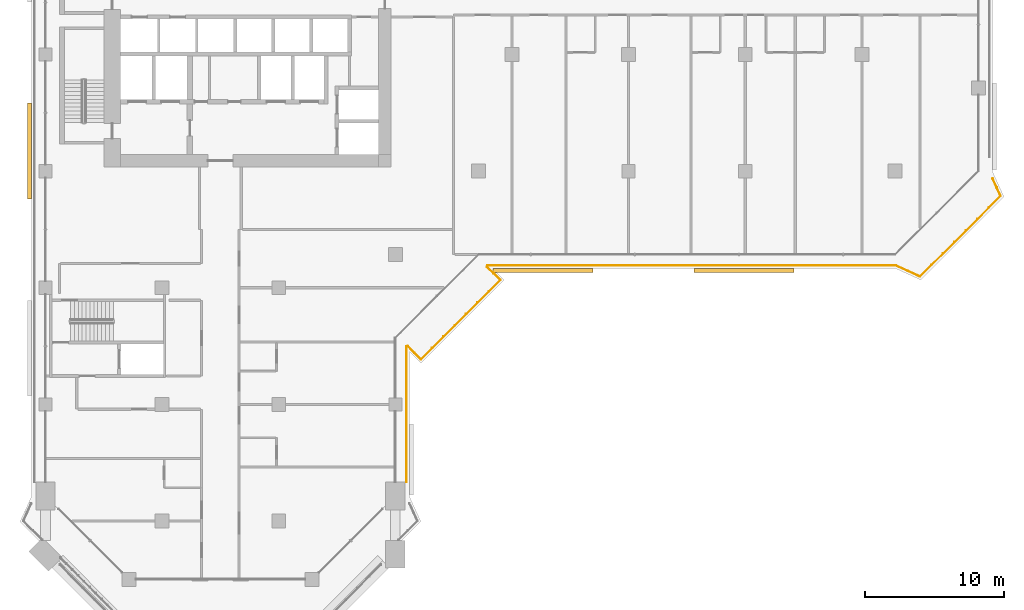
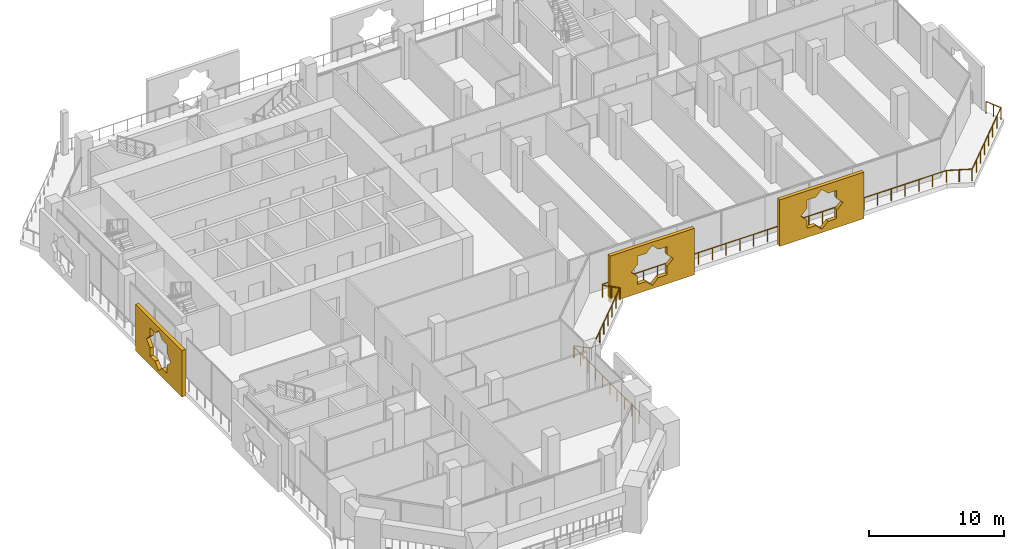
# One storey, part 18 of 22: 3 coverings, 1 railing.
"""IFC4 building model written with IfcOpenShell, lengths in metres."""

from ifc_helpers import new_model, si_unit, direction, frame, origin, origin_2d, place, context, subcontext, project, spatial, polyline, circle, outline, extrude, material, material_profile, profile_set, type_object, element, save


model = new_model("IFC4")

# Units and contexts
model_context = context("Model", 3, precision=1e-05, world=origin(), true_north=direction((0.0, 1.0)))
body_context = subcontext(model_context, "Body", "Model", "MODEL_VIEW")
ifc_project = project(units=[si_unit("LENGTHUNIT", "METRE"), si_unit("AREAUNIT", "SQUARE_METRE"), si_unit("VOLUMEUNIT", "CUBIC_METRE"), si_unit("PLANEANGLEUNIT", "RADIAN"), si_unit("MASSUNIT", "GRAM", prefix="KILO")], contexts=[model_context])

# Site, building, storey
site_placement = place(None, origin())
site = spatial("IfcSite", under=ifc_project, at=site_placement, CompositionType="ELEMENT")
building_placement = place(site_placement, origin())
building = spatial("IfcBuilding", under=site, at=building_placement, Name="Kawkab Arch Medical Tower", CompositionType="ELEMENT")
storey_placement = place(building_placement, frame((0.0, 0.0, 171.0)))
storey = spatial("IfcBuildingStorey", under=building, at=storey_placement, Name="L39", CompositionType="ELEMENT", Elevation=171.0)

# Railing
ifc_material_1 = material(Name="Bronze anodised aluminium guard", Category="aluminium")
railing_type = type_object("IfcRailingType", Name="Loggia and terrace guard 1100", PredefinedType="GUARDRAIL", material=ifc_material_1)
railing_placement = place(storey_placement, frame((68.22998046875, -25.748046875, 0.0)))
element("IfcRailing", 1, at=railing_placement, inside=storey, type_object=railing_type, Name="Guard L39.LOG-01.1.3", PredefinedType="GUARDRAIL", context=body_context, shape_type="SweptSolid", body=[
    extrude(circle(Radius=0.02392578125, at=origin_2d()), frame((0.0, 0.0, 1.076171875), z_axis=(0.414567890698, -0.910018386629, 0.0), x_axis=(0.910018386629, 0.414567890698, 0.0)), (0.0, 0.0, 1.0), 1.370361328125),
    extrude(circle(Radius=0.02392578125, at=origin_2d()), frame((0.568115234375, -1.2470703125, 1.076171875), z_axis=(-0.707106781187, -0.707106781187, 0.0), x_axis=(0.707106781187, -0.707106781187, 0.0)), (0.0, 0.0, 1.0), 8.20654296875),
    extrude(circle(Radius=0.02392578125, at=origin_2d()), frame((-5.23486328125, -7.050048828125, 1.076171875), z_axis=(-0.910044860056, 0.414509773934, 0.0), x_axis=(-0.414509773934, -0.910044860056, 0.0)), (0.0, 0.0, 1.0), 1.92529296875),
    extrude(circle(Radius=0.02392578125, at=origin_2d()), frame((-6.987060546875, -6.251953125, 1.076171875), z_axis=(-1.0, 0.0, 0.0), x_axis=(0.0, -1.0, 0.0)), (0.0, 0.0, 1.0), 29.392822265625),
    extrude(circle(Radius=0.02392578125, at=origin_2d()), frame((-36.3798828125, -6.251953125, 1.076171875), z_axis=(-0.383763674343, -0.923431341387, 0.0), x_axis=(0.923431341387, -0.383763674343, 0.0)), (0.0, 0.0, 1.0), 0.101806640625),
    extrude(circle(Radius=0.02392578125, at=origin_2d()), frame((-36.4189453125, -6.345947265625, 1.076171875), z_axis=(0.707015335112, -0.707198215437, 0.0), x_axis=(0.707198215437, 0.707015335112, 0.0)), (0.0, 0.0, 1.0), 1.3349609375),
    extrude(circle(Radius=0.02392578125, at=origin_2d()), frame((-35.47509765625, -7.2900390625, 1.076171875), z_axis=(-0.707106781187, -0.707106781187, 0.0), x_axis=(0.707106781187, -0.707106781187, 0.0)), (0.0, 0.0, 1.0), 8.084716796875),
    extrude(circle(Radius=0.02392578125, at=origin_2d()), frame((-41.19189453125, -13.0068359375, 1.076171875), z_axis=(-0.707198215437, 0.707015335112, 0.0), x_axis=(-0.707015335112, -0.707198215437, 0.0)), (0.0, 0.0, 1.0), 1.3349609375),
    extrude(circle(Radius=0.02392578125, at=origin_2d()), frame((-42.135986328125, -12.06298828125, 1.076171875), z_axis=(-0.923431341387, -0.383763674343, 0.0), x_axis=(0.383763674343, -0.923431341387, 0.0)), (0.0, 0.0, 1.0), 0.101806640625),
    extrude(circle(Radius=0.02392578125, at=origin_2d()), frame((-42.22998046875, -12.10205078125, 1.076171875), z_axis=(0.0, -1.0, 0.0), x_axis=(1.0, 0.0, 0.0)), (0.0, 0.0, 1.0), 9.719970703125),
    extrude(circle(Radius=0.02099609375, at=origin_2d()), origin(), (0.0, 0.0, 1.0), 1.052001953125),
    extrude(circle(Radius=0.02099609375, at=origin_2d()), frame((0.2841796875, -0.62353515625, 0.0)), (0.0, 0.0, 1.0), 1.052001953125),
    extrude(circle(Radius=0.02099609375, at=origin_2d()), frame((0.568115234375, -1.2470703125, 0.0)), (0.0, 0.0, 1.0), 1.052001953125),
    extrude(circle(Radius=0.02099609375, at=origin_2d()), frame((-0.260986328125, -2.076171875, 0.0)), (0.0, 0.0, 1.0), 1.052001953125),
    extrude(circle(Radius=0.02099609375, at=origin_2d()), frame((-1.08984375, -2.905029296875, 0.0)), (0.0, 0.0, 1.0), 1.052001953125),
    extrude(circle(Radius=0.02099609375, at=origin_2d()), frame((-1.9189453125, -3.734130859375, 0.0)), (0.0, 0.0, 1.0), 1.052001953125),
    extrude(circle(Radius=0.02099609375, at=origin_2d()), frame((-2.747802734375, -4.56298828125, 0.0)), (0.0, 0.0, 1.0), 1.052001953125),
    extrude(circle(Radius=0.02099609375, at=origin_2d()), frame((-3.576904296875, -5.39208984375, 0.0)), (0.0, 0.0, 1.0), 1.052001953125),
    extrude(circle(Radius=0.02099609375, at=origin_2d()), frame((-4.40576171875, -6.220947265625, 0.0)), (0.0, 0.0, 1.0), 1.052001953125),
    extrude(circle(Radius=0.02099609375, at=origin_2d()), frame((-5.23486328125, -7.050048828125, 0.0)), (0.0, 0.0, 1.0), 1.052001953125),
    extrude(circle(Radius=0.02099609375, at=origin_2d()), frame((-6.11083984375, -6.65087890625, 0.0)), (0.0, 0.0, 1.0), 1.052001953125),
    extrude(circle(Radius=0.02099609375, at=origin_2d()), frame((-6.987060546875, -6.251953125, 0.0)), (0.0, 0.0, 1.0), 1.052001953125),
    extrude(circle(Radius=0.02099609375, at=origin_2d()), frame((-8.162841796875, -6.251953125, 0.0)), (0.0, 0.0, 1.0), 1.052001953125),
    extrude(circle(Radius=0.02099609375, at=origin_2d()), frame((-9.33837890625, -6.251953125, 0.0)), (0.0, 0.0, 1.0), 1.052001953125),
    extrude(circle(Radius=0.02099609375, at=origin_2d()), frame((-10.51416015625, -6.251953125, 0.0)), (0.0, 0.0, 1.0), 1.052001953125),
    extrude(circle(Radius=0.02099609375, at=origin_2d()), frame((-11.68994140625, -6.251953125, 0.0)), (0.0, 0.0, 1.0), 1.052001953125),
    extrude(circle(Radius=0.02099609375, at=origin_2d()), frame((-12.86572265625, -6.251953125, 0.0)), (0.0, 0.0, 1.0), 1.052001953125),
    extrude(circle(Radius=0.02099609375, at=origin_2d()), frame((-14.041259765625, -6.251953125, 0.0)), (0.0, 0.0, 1.0), 1.052001953125),
    extrude(circle(Radius=0.02099609375, at=origin_2d()), frame((-15.217041015625, -6.251953125, 0.0)), (0.0, 0.0, 1.0), 1.052001953125),
    extrude(circle(Radius=0.02099609375, at=origin_2d()), frame((-16.392822265625, -6.251953125, 0.0)), (0.0, 0.0, 1.0), 1.052001953125),
    extrude(circle(Radius=0.02099609375, at=origin_2d()), frame((-17.568359375, -6.251953125, 0.0)), (0.0, 0.0, 1.0), 1.052001953125),
    extrude(circle(Radius=0.02099609375, at=origin_2d()), frame((-18.744140625, -6.251953125, 0.0)), (0.0, 0.0, 1.0), 1.052001953125),
    extrude(circle(Radius=0.02099609375, at=origin_2d()), frame((-19.919921875, -6.251953125, 0.0)), (0.0, 0.0, 1.0), 1.052001953125),
    extrude(circle(Radius=0.02099609375, at=origin_2d()), frame((-21.095703125, -6.251953125, 0.0)), (0.0, 0.0, 1.0), 1.052001953125),
    extrude(circle(Radius=0.02099609375, at=origin_2d()), frame((-22.271240234375, -6.251953125, 0.0)), (0.0, 0.0, 1.0), 1.052001953125),
    extrude(circle(Radius=0.02099609375, at=origin_2d()), frame((-23.447021484375, -6.251953125, 0.0)), (0.0, 0.0, 1.0), 1.052001953125),
    extrude(circle(Radius=0.02099609375, at=origin_2d()), frame((-24.622802734375, -6.251953125, 0.0)), (0.0, 0.0, 1.0), 1.052001953125),
    extrude(circle(Radius=0.02099609375, at=origin_2d()), frame((-25.798583984375, -6.251953125, 0.0)), (0.0, 0.0, 1.0), 1.052001953125),
    extrude(circle(Radius=0.02099609375, at=origin_2d()), frame((-26.97412109375, -6.251953125, 0.0)), (0.0, 0.0, 1.0), 1.052001953125),
    extrude(circle(Radius=0.02099609375, at=origin_2d()), frame((-28.14990234375, -6.251953125, 0.0)), (0.0, 0.0, 1.0), 1.052001953125),
    extrude(circle(Radius=0.02099609375, at=origin_2d()), frame((-29.32568359375, -6.251953125, 0.0)), (0.0, 0.0, 1.0), 1.052001953125),
    extrude(circle(Radius=0.02099609375, at=origin_2d()), frame((-30.501220703125, -6.251953125, 0.0)), (0.0, 0.0, 1.0), 1.052001953125),
    extrude(circle(Radius=0.02099609375, at=origin_2d()), frame((-31.677001953125, -6.251953125, 0.0)), (0.0, 0.0, 1.0), 1.052001953125),
    extrude(circle(Radius=0.02099609375, at=origin_2d()), frame((-32.852783203125, -6.251953125, 0.0)), (0.0, 0.0, 1.0), 1.052001953125),
    extrude(circle(Radius=0.02099609375, at=origin_2d()), frame((-34.028564453125, -6.251953125, 0.0)), (0.0, 0.0, 1.0), 1.052001953125),
    extrude(circle(Radius=0.02099609375, at=origin_2d()), frame((-35.2041015625, -6.251953125, 0.0)), (0.0, 0.0, 1.0), 1.052001953125),
    extrude(circle(Radius=0.02099609375, at=origin_2d()), frame((-36.3798828125, -6.251953125, 0.0)), (0.0, 0.0, 1.0), 1.052001953125),
    extrude(circle(Radius=0.02099609375, at=origin_2d()), frame((-36.4189453125, -6.345947265625, 0.0)), (0.0, 0.0, 1.0), 1.052001953125),
    extrude(circle(Radius=0.02099609375, at=origin_2d()), frame((-35.947021484375, -6.81787109375, 0.0)), (0.0, 0.0, 1.0), 1.052001953125),
    extrude(circle(Radius=0.02099609375, at=origin_2d()), frame((-35.47509765625, -7.2900390625, 0.0)), (0.0, 0.0, 1.0), 1.052001953125),
    extrude(circle(Radius=0.02099609375, at=origin_2d()), frame((-36.291748046875, -8.106689453125, 0.0)), (0.0, 0.0, 1.0), 1.052001953125),
    extrude(circle(Radius=0.02099609375, at=origin_2d()), frame((-37.1083984375, -8.92333984375, 0.0)), (0.0, 0.0, 1.0), 1.052001953125),
    extrude(circle(Radius=0.02099609375, at=origin_2d()), frame((-37.925048828125, -9.739990234375, 0.0)), (0.0, 0.0, 1.0), 1.052001953125),
    extrude(circle(Radius=0.02099609375, at=origin_2d()), frame((-38.741943359375, -10.556884765625, 0.0)), (0.0, 0.0, 1.0), 1.052001953125),
    extrude(circle(Radius=0.02099609375, at=origin_2d()), frame((-39.55859375, -11.37353515625, 0.0)), (0.0, 0.0, 1.0), 1.052001953125),
    extrude(circle(Radius=0.02099609375, at=origin_2d()), frame((-40.375244140625, -12.190185546875, 0.0)), (0.0, 0.0, 1.0), 1.052001953125),
    extrude(circle(Radius=0.02099609375, at=origin_2d()), frame((-41.19189453125, -13.0068359375, 0.0)), (0.0, 0.0, 1.0), 1.052001953125),
    extrude(circle(Radius=0.02099609375, at=origin_2d()), frame((-41.6640625, -12.534912109375, 0.0)), (0.0, 0.0, 1.0), 1.052001953125),
    extrude(circle(Radius=0.02099609375, at=origin_2d()), frame((-42.135986328125, -12.06298828125, 0.0)), (0.0, 0.0, 1.0), 1.052001953125),
    extrude(circle(Radius=0.02099609375, at=origin_2d()), frame((-42.22998046875, -12.10205078125, 0.0)), (0.0, 0.0, 1.0), 1.052001953125),
    extrude(circle(Radius=0.02099609375, at=origin_2d()), frame((-42.22998046875, -13.18212890625, 0.0)), (0.0, 0.0, 1.0), 1.052001953125),
    extrude(circle(Radius=0.02099609375, at=origin_2d()), frame((-42.22998046875, -14.261962890625, 0.0)), (0.0, 0.0, 1.0), 1.052001953125),
    extrude(circle(Radius=0.02099609375, at=origin_2d()), frame((-42.22998046875, -15.342041015625, 0.0)), (0.0, 0.0, 1.0), 1.052001953125),
    extrude(circle(Radius=0.02099609375, at=origin_2d()), frame((-42.22998046875, -16.422119140625, 0.0)), (0.0, 0.0, 1.0), 1.052001953125),
    extrude(circle(Radius=0.02099609375, at=origin_2d()), frame((-42.22998046875, -17.501953125, 0.0)), (0.0, 0.0, 1.0), 1.052001953125),
    extrude(circle(Radius=0.02099609375, at=origin_2d()), frame((-42.22998046875, -18.58203125, 0.0)), (0.0, 0.0, 1.0), 1.052001953125),
    extrude(circle(Radius=0.02099609375, at=origin_2d()), frame((-42.22998046875, -19.662109375, 0.0)), (0.0, 0.0, 1.0), 1.052001953125),
    extrude(circle(Radius=0.02099609375, at=origin_2d()), frame((-42.22998046875, -20.741943359375, 0.0)), (0.0, 0.0, 1.0), 1.052001953125),
    extrude(circle(Radius=0.02099609375, at=origin_2d()), frame((-42.22998046875, -21.822021484375, 0.0)), (0.0, 0.0, 1.0), 1.052001953125),
])

# Coverings
ifc_material_2 = material(Name="Bronze anodised aluminium mashrabiya panel, eight-point star pattern", Category="aluminium")
ifc_material_profile_1 = material_profile(ifc_material_2, outline(polyline([(-3.449951171875, -2.10009765625), (3.449951171875, -2.10009765625), (3.449951171875, 2.10009765625), (-3.449951171875, 2.10009765625), (-3.449951171875, -2.10009765625)]), holes=[polyline([(1.800048828125, 0.0), (1.272705078125, 0.527099609375), (1.272705078125, 1.272705078125), (0.527099609375, 1.272705078125), (0.0, 1.800048828125), (-0.527099609375, 1.272705078125), (-1.272705078125, 1.272705078125), (-1.272705078125, 0.527099609375), (-1.800048828125, 0.0), (-1.272705078125, -0.527099609375), (-1.272705078125, -1.272705078125), (-0.527099609375, -1.272705078125), (0.0, -1.800048828125), (0.527099609375, -1.272705078125), (1.272705078125, -1.272705078125), (1.272705078125, -0.527099609375), (1.800048828125, 0.0)])]), Name="Mashrabiya panel 6900x4200")
ifc_profile_set_1 = profile_set([ifc_material_profile_1], Name="Bronze anodised aluminium mashrabiya panel, eight-point star pattern")
covering_type_1 = type_object("IfcCoveringType", Name="Mashrabiya panel 6900 x 4200", PredefinedType="USERDEFINED", material=ifc_profile_set_1)
covering_placement = place(storey_placement, frame((-1.0, -23.74951171875, 1.699951171875), z_axis=(-1.0, 0.0, 0.0), x_axis=(0.0, -1.0, 0.0)))
element("IfcCovering", 2, at=covering_placement, inside=storey, type_object=covering_type_1, Name="Mashrabiya panel L39.LOG-01-01.2", ObjectType="SCREEN", PredefinedType="USERDEFINED", context=body_context, shape_type="SweptSolid", body=[
    extrude(outline(polyline([(-3.449951171875, -2.10009765625), (3.449951171875, -2.10009765625), (3.449951171875, 2.10009765625), (-3.449951171875, 2.10009765625), (-3.449951171875, -2.10009765625)]), holes=[polyline([(1.800048828125, 0.0), (1.272705078125, 0.527099609375), (1.272705078125, 1.272705078125), (0.527099609375, 1.272705078125), (0.0, 1.800048828125), (-0.527099609375, 1.272705078125), (-1.272705078125, 1.272705078125), (-1.272705078125, 0.527099609375), (-1.800048828125, 0.0), (-1.272705078125, -0.527099609375), (-1.272705078125, -1.272705078125), (-0.527099609375, -1.272705078125), (0.0, -1.800048828125), (0.527099609375, -1.272705078125), (1.272705078125, -1.272705078125), (1.272705078125, -0.527099609375), (1.800048828125, 0.0)])]), origin(), (0.0, 0.0, 1.0), 0.300048828125),
])
ifc_material_3 = material(Name="Bronze anodised aluminium mashrabiya panel, eight-point star pattern", Category="aluminium")
ifc_material_profile_2 = material_profile(ifc_material_3, outline(polyline([(-3.60009765625, -2.10009765625), (3.60009765625, -2.10009765625), (3.60009765625, 2.10009765625), (-3.60009765625, 2.10009765625), (-3.60009765625, -2.10009765625)]), holes=[polyline([(1.800048828125, 0.0), (1.272705078125, 0.527099609375), (1.272705078125, 1.272705078125), (0.527099609375, 1.272705078125), (0.0, 1.800048828125), (-0.527099609375, 1.272705078125), (-1.272705078125, 1.272705078125), (-1.272705078125, 0.527099609375), (-1.800048828125, 0.0), (-1.272705078125, -0.527099609375), (-1.272705078125, -1.272705078125), (-0.527099609375, -1.272705078125), (0.0, -1.800048828125), (0.527099609375, -1.272705078125), (1.272705078125, -1.272705078125), (1.272705078125, -0.527099609375), (1.800048828125, 0.0)])]), Name="Mashrabiya panel 7200x4200")
ifc_profile_set_2 = profile_set([ifc_material_profile_2], Name="Bronze anodised aluminium mashrabiya panel, eight-point star pattern")
covering_type_2 = type_object("IfcCoveringType", Name="Mashrabiya panel 7200 x 4200", PredefinedType="USERDEFINED", material=ifc_profile_set_2)
for number, where, z_axis, x_axis, name in (
    (3, (50.31982421875, -32.199951171875, 1.699951171875), (0.0, -1.0, 0.0), (1.0, 0.0, 0.0), "Mashrabiya panel L39.LOG-01-01.9"),
    (4, (35.830078125, -32.199951171875, 1.699951171875), (0.0, -1.0, 0.0), (1.0, 0.0, 0.0), "Mashrabiya panel L39.LOG-01-01.10"),
):
    element("IfcCovering", number, at=place(storey_placement, frame(where, z_axis=z_axis, x_axis=x_axis)), inside=storey, type_object=covering_type_2, Name=name, ObjectType="SCREEN", PredefinedType="USERDEFINED", context=body_context, shape_type="SweptSolid", body=[
        extrude(outline(polyline([(-3.60009765625, -2.10009765625), (3.60009765625, -2.10009765625), (3.60009765625, 2.10009765625), (-3.60009765625, 2.10009765625), (-3.60009765625, -2.10009765625)]), holes=[polyline([(1.800048828125, 0.0), (1.272705078125, 0.527099609375), (1.272705078125, 1.272705078125), (0.527099609375, 1.272705078125), (0.0, 1.800048828125), (-0.527099609375, 1.272705078125), (-1.272705078125, 1.272705078125), (-1.272705078125, 0.527099609375), (-1.800048828125, 0.0), (-1.272705078125, -0.527099609375), (-1.272705078125, -1.272705078125), (-0.527099609375, -1.272705078125), (0.0, -1.800048828125), (0.527099609375, -1.272705078125), (1.272705078125, -1.272705078125), (1.272705078125, -0.527099609375), (1.800048828125, 0.0)])]), origin(), (0.0, 0.0, 1.0), 0.300048828125),
    ])

save(model, "model.ifc")
